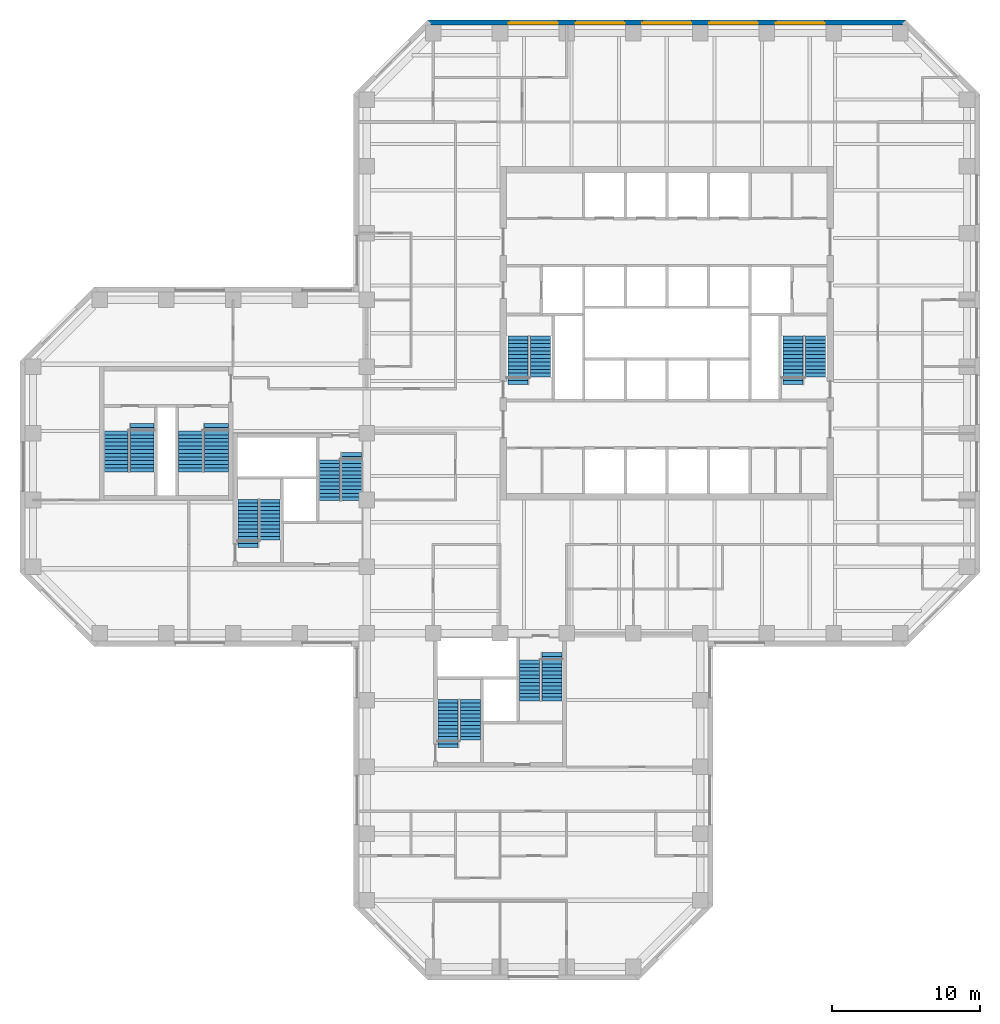
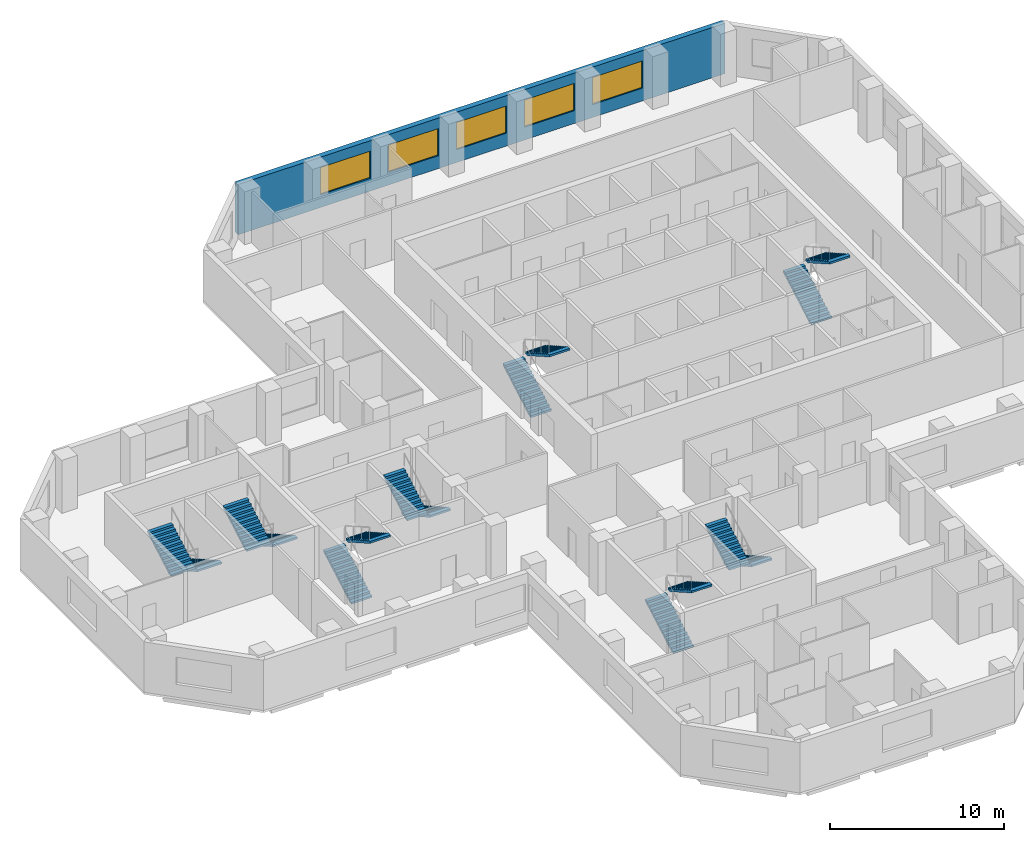
# One storey, part 9 of 10: 16 stair flights, 5 windows, 1 wall, 5 openings, 8 elements without a shape of their own.
"""IFC4 building model written with IfcOpenShell, lengths in metres."""

from ifc_helpers import new_model, si_unit, direction, frame, frame_2d, origin, place, context, subcontext, project, spatial, polyline, rectangle, outline, extrude, material, layer, layer_set, constituent, constituent_set, type_object, element, fill, aggregate, save


model = new_model("IFC4")

# Units and contexts
model_context = context("Model", 3, precision=1e-05, world=origin(), true_north=direction((0.0, 1.0)))
body_context = subcontext(model_context, "Body", "Model", "MODEL_VIEW")
ifc_project = project(units=[si_unit("LENGTHUNIT", "METRE"), si_unit("AREAUNIT", "SQUARE_METRE"), si_unit("VOLUMEUNIT", "CUBIC_METRE"), si_unit("PLANEANGLEUNIT", "RADIAN"), si_unit("MASSUNIT", "GRAM", prefix="KILO")], contexts=[model_context])

# Site, building, storey
site_placement = place(None, origin())
site = spatial("IfcSite", under=ifc_project, at=site_placement, CompositionType="ELEMENT")
building_placement = place(site_placement, origin())
building = spatial("IfcBuilding", under=site, at=building_placement, Name="Quoin Convention Tower", CompositionType="ELEMENT")
storey_placement = place(building_placement, frame((0.0, 0.0, 86.300048828125)))
storey = spatial("IfcBuildingStorey", under=building, at=storey_placement, Name="L22", CompositionType="ELEMENT", Elevation=86.300048828125)

# Wall, openings, windows
ifc_material_1 = material(Name="Brick masonry", Category="masonry")
ifc_layer = layer(ifc_material_1, 0.35009765625)
ifc_layer_set = layer_set([ifc_layer], Name="Brick masonry")
wall_type = type_object("IfcWallType", Name="Brick facade wall", PredefinedType="STANDARD", material=ifc_layer_set)
wall_placement = place(storey_placement, frame((72.3623046875, 81.699951171875, 0.0), z_axis=(0.0, 0.0, 1.0), x_axis=(-1.0, 0.0, 0.0)))
wall = element("IfcWall", 1, at=wall_placement, inside=storey, type_object=wall_type, Name="fw-L22-72000_81000", PredefinedType="STANDARD", context=body_context, shape_type="SweptSolid", body=[
    extrude(rectangle(XDim=32.224609375, YDim=0.35009765625, at=frame_2d((16.1123046875, 0.0))), origin(), (0.0, 0.0, 1.0), 3.52490234375),
])
opening_1_placement = place(wall_placement, frame((5.46240234375, 0.0, 0.89990234375)))
opening_1 = element("IfcOpeningElement", 2, at=opening_1_placement, cuts=wall, Name="Opening W-02", PredefinedType="OPENING", context=body_context, shape_type="SweptSolid", body=[
    extrude(rectangle(XDim=3.300048828125, YDim=1.89990234375, at=frame_2d((1.64990234375, 0.949951171875))), frame((0.0, 0.18505859375, 0.0), z_axis=(0.0, -1.0, 0.0), x_axis=(1.0, 0.0, 0.0)), (0.0, 0.0, 1.0), 0.3701171875),
])
opening_2_placement = place(wall_placement, frame((9.96240234375, 0.0, 0.89990234375)))
opening_2 = element("IfcOpeningElement", 3, at=opening_2_placement, cuts=wall, Name="Opening W-02", PredefinedType="OPENING", context=body_context, shape_type="SweptSolid", body=[
    extrude(rectangle(XDim=3.300048828125, YDim=1.89990234375, at=frame_2d((1.64990234375, 0.949951171875))), frame((0.0, 0.18505859375, 0.0), z_axis=(0.0, -1.0, 0.0), x_axis=(1.0, 0.0, 0.0)), (0.0, 0.0, 1.0), 0.3701171875),
])
opening_3_placement = place(wall_placement, frame((14.46240234375, 0.0, 0.89990234375)))
opening_3 = element("IfcOpeningElement", 4, at=opening_3_placement, cuts=wall, Name="Opening W-02", PredefinedType="OPENING", context=body_context, shape_type="SweptSolid", body=[
    extrude(rectangle(XDim=3.300048828125, YDim=1.89990234375, at=frame_2d((1.64990234375, 0.949951171875))), frame((0.0, 0.18505859375, 0.0), z_axis=(0.0, -1.0, 0.0), x_axis=(1.0, 0.0, 0.0)), (0.0, 0.0, 1.0), 0.3701171875),
])
opening_4_placement = place(wall_placement, frame((18.96240234375, 0.0, 0.89990234375)))
opening_4 = element("IfcOpeningElement", 5, at=opening_4_placement, cuts=wall, Name="Opening W-02", PredefinedType="OPENING", context=body_context, shape_type="SweptSolid", body=[
    extrude(rectangle(XDim=3.300048828125, YDim=1.89990234375, at=frame_2d((1.64990234375, 0.949951171875))), frame((0.0, 0.18505859375, 0.0), z_axis=(0.0, -1.0, 0.0), x_axis=(1.0, 0.0, 0.0)), (0.0, 0.0, 1.0), 0.3701171875),
])
opening_5_placement = place(wall_placement, frame((23.46240234375, 0.0, 0.89990234375)))
opening_5 = element("IfcOpeningElement", 6, at=opening_5_placement, cuts=wall, Name="Opening W-02", PredefinedType="OPENING", context=body_context, shape_type="SweptSolid", body=[
    extrude(rectangle(XDim=3.300048828125, YDim=1.89990234375, at=frame_2d((1.64990234375, 0.949951171875))), frame((0.0, 0.18505859375, 0.0), z_axis=(0.0, -1.0, 0.0), x_axis=(1.0, 0.0, 0.0)), (0.0, 0.0, 1.0), 0.3701171875),
])
ifc_material_2 = material(Name="Aluminium", Category="aluminium")
ifc_constituent_1 = constituent(ifc_material_2, Name="Frame")
ifc_material_3 = material(Name="Insulated glass", Category="glass")
ifc_constituent_2 = constituent(ifc_material_3, Name="Glazing")
ifc_constituent_set = constituent_set(constituents=[ifc_constituent_1, ifc_constituent_2], Name="Aluminium")
window_type = type_object("IfcWindowType", Name="Office window", PartitioningType="DOUBLE_PANEL_VERTICAL", PredefinedType="WINDOW", material=ifc_constituent_set)
window_1_placement = place(opening_1_placement, origin())
window_1 = element("IfcWindow", 7, at=window_1_placement, inside=storey, type_object=window_type, Name="win-L22-65250_81700", OverallHeight=1.89990234375, OverallWidth=3.300048828125, PartitioningType="SINGLE_PANEL", PredefinedType="WINDOW", context=body_context, shape_type="SweptSolid", body=[
    extrude(rectangle(XDim=3.300048828125, YDim=1.89990234375, at=frame_2d((1.64990234375, 0.949951171875))), frame((0.0, 0.0849609375, 0.0), z_axis=(0.0, -1.0, 0.0), x_axis=(1.0, 0.0, 0.0)), (0.0, 0.0, 1.0), 0.06005859375),
])
fill(opening_1, window_1)
window_2_placement = place(opening_2_placement, origin())
window_2 = element("IfcWindow", 8, at=window_2_placement, inside=storey, type_object=window_type, Name="win-L22-60750_81700", OverallHeight=1.89990234375, OverallWidth=3.300048828125, PartitioningType="SINGLE_PANEL", PredefinedType="WINDOW", context=body_context, shape_type="SweptSolid", body=[
    extrude(rectangle(XDim=3.300048828125, YDim=1.89990234375, at=frame_2d((1.64990234375, 0.949951171875))), frame((0.0, 0.0849609375, 0.0), z_axis=(0.0, -1.0, 0.0), x_axis=(1.0, 0.0, 0.0)), (0.0, 0.0, 1.0), 0.06005859375),
])
fill(opening_2, window_2)
window_3_placement = place(opening_3_placement, origin())
window_3 = element("IfcWindow", 9, at=window_3_placement, inside=storey, type_object=window_type, Name="win-L22-56250_81700", OverallHeight=1.89990234375, OverallWidth=3.300048828125, PartitioningType="SINGLE_PANEL", PredefinedType="WINDOW", context=body_context, shape_type="SweptSolid", body=[
    extrude(rectangle(XDim=3.300048828125, YDim=1.89990234375, at=frame_2d((1.64990234375, 0.949951171875))), frame((0.0, 0.0849609375, 0.0), z_axis=(0.0, -1.0, 0.0), x_axis=(1.0, 0.0, 0.0)), (0.0, 0.0, 1.0), 0.06005859375),
])
fill(opening_3, window_3)
window_4_placement = place(opening_4_placement, origin())
window_4 = element("IfcWindow", 10, at=window_4_placement, inside=storey, type_object=window_type, Name="win-L22-51750_81700", OverallHeight=1.89990234375, OverallWidth=3.300048828125, PartitioningType="SINGLE_PANEL", PredefinedType="WINDOW", context=body_context, shape_type="SweptSolid", body=[
    extrude(rectangle(XDim=3.300048828125, YDim=1.89990234375, at=frame_2d((1.64990234375, 0.949951171875))), frame((0.0, 0.0849609375, 0.0), z_axis=(0.0, -1.0, 0.0), x_axis=(1.0, 0.0, 0.0)), (0.0, 0.0, 1.0), 0.06005859375),
])
fill(opening_4, window_4)
window_5_placement = place(opening_5_placement, origin())
window_5 = element("IfcWindow", 11, at=window_5_placement, inside=storey, type_object=window_type, Name="win-L22-47250_81700", OverallHeight=1.89990234375, OverallWidth=3.300048828125, PartitioningType="SINGLE_PANEL", PredefinedType="WINDOW", context=body_context, shape_type="SweptSolid", body=[
    extrude(rectangle(XDim=3.300048828125, YDim=1.89990234375, at=frame_2d((1.64990234375, 0.949951171875))), frame((0.0, 0.0849609375, 0.0), z_axis=(0.0, -1.0, 0.0), x_axis=(1.0, 0.0, 0.0)), (0.0, 0.0, 1.0), 0.06005859375),
])
fill(opening_5, window_5)

# Stair, stair flights
ifc_material_4 = material(Name="Concrete C40", Category="concrete")
stair_type_1 = type_object("IfcStairType", Name="Exit stair two-flight 1350", PredefinedType="HALF_TURN_STAIR", material=ifc_material_4)
stair_1_placement = place(storey_placement, origin())
stair_1 = element("IfcStair", 12, at=stair_1_placement, inside=storey, type_object=stair_type_1, Name="SD1 L22", PredefinedType="HALF_TURN_STAIR")
stair_flight_type_1 = type_object("IfcStairFlightType", Name="Stair flight 1350", PredefinedType="STRAIGHT", material=ifc_material_4)
stair_flight_1_placement = place(storey_placement, frame((46.22509765625, 57.300048828125, 0.0), z_axis=(0.0, 0.0, 1.0), x_axis=(0.0, 1.0, 0.0)))
stair_flight_1 = element("IfcStairFlight", 13, at=stair_flight_1_placement, type_object=stair_flight_type_1, Name="ST1 flight 1", NumberOfRisers=14, NumberOfTreads=13, PredefinedType="STRAIGHT", RiserHeight=0.142307692, TreadLength=0.25, context=body_context, shape_type="SweptSolid", body=[
    extrude(outline(polyline([(0.0, 0.0), (0.0, 0.142333984375), (0.25, 0.142333984375), (0.25, 0.28466796875), (0.5, 0.28466796875), (0.5, 0.427001953125), (0.75, 0.427001953125), (0.75, 0.5693359375), (1.0, 0.5693359375), (1.0, 0.71142578125), (1.25, 0.71142578125), (1.25, 0.853759765625), (1.5, 0.853759765625), (1.5, 0.99609375), (1.75, 0.99609375), (1.75, 1.138427734375), (2.0, 1.138427734375), (2.0, 1.28076171875), (2.25, 1.28076171875), (2.25, 1.423095703125), (2.5, 1.423095703125), (2.5, 1.5654296875), (2.75, 1.5654296875), (2.75, 1.707763671875), (3.0, 1.707763671875), (3.0, 1.85009765625), (3.25, 1.85009765625), (3.25, 1.9921875), (3.25, 1.711669921875), (0.242919921875, 0.0), (0.0, 0.0)])), frame((0.0, 0.675048828125, 0.0), z_axis=(0.0, -1.0, 0.0), x_axis=(1.0, 0.0, 0.0)), (0.0, 0.0, 1.0), 1.35009765625),
])
stair_flight_2_placement = place(storey_placement, frame((47.72509765625, 60.550048828125, 1.9921875), z_axis=(0.0, 0.0, 1.0), x_axis=(0.0, -1.0, 0.0)))
stair_flight_2 = element("IfcStairFlight", 14, at=stair_flight_2_placement, type_object=stair_flight_type_1, Name="ST1 flight 2", NumberOfRisers=12, NumberOfTreads=11, PredefinedType="STRAIGHT", RiserHeight=0.142307692, TreadLength=0.25, context=body_context, shape_type="SweptSolid", body=[
    extrude(outline(polyline([(0.0, 0.0), (0.0, 0.142333984375), (0.25, 0.142333984375), (0.25, 0.28466796875), (0.5, 0.28466796875), (0.5, 0.427001953125), (0.75, 0.427001953125), (0.75, 0.5693359375), (1.0, 0.5693359375), (1.0, 0.71142578125), (1.25, 0.71142578125), (1.25, 0.853759765625), (1.5, 0.853759765625), (1.5, 0.99609375), (1.75, 0.99609375), (1.75, 1.138427734375), (2.0, 1.138427734375), (2.0, 1.28076171875), (2.25, 1.28076171875), (2.25, 1.423095703125), (2.5, 1.423095703125), (2.5, 1.5654296875), (2.75, 1.5654296875), (2.75, 1.707763671875), (2.75, 1.42724609375), (0.242919921875, 0.0), (0.0, 0.0)])), frame((0.0, 0.675048828125, 0.0), z_axis=(0.0, -1.0, 0.0), x_axis=(1.0, 0.0, 0.0)), (0.0, 0.0, 1.0), 1.35009765625),
])
aggregate(stair_1, [stair_flight_1, stair_flight_2])

stair_2_placement = place(storey_placement, origin())
stair_2 = element("IfcStair", 15, at=stair_2_placement, inside=storey, type_object=stair_type_1, Name="SD2 L22", PredefinedType="HALF_TURN_STAIR")
stair_flight_3_placement = place(storey_placement, frame((64.77490234375, 57.300048828125, 0.0), z_axis=(0.0, 0.0, 1.0), x_axis=(0.0, 1.0, 0.0)))
stair_flight_3 = element("IfcStairFlight", 16, at=stair_flight_3_placement, type_object=stair_flight_type_1, Name="ST2 flight 1", NumberOfRisers=14, NumberOfTreads=13, PredefinedType="STRAIGHT", RiserHeight=0.142307692, TreadLength=0.25, context=body_context, shape_type="SweptSolid", body=[
    extrude(outline(polyline([(0.0, 0.0), (0.0, 0.142333984375), (0.25, 0.142333984375), (0.25, 0.28466796875), (0.5, 0.28466796875), (0.5, 0.427001953125), (0.75, 0.427001953125), (0.75, 0.5693359375), (1.0, 0.5693359375), (1.0, 0.71142578125), (1.25, 0.71142578125), (1.25, 0.853759765625), (1.5, 0.853759765625), (1.5, 0.99609375), (1.75, 0.99609375), (1.75, 1.138427734375), (2.0, 1.138427734375), (2.0, 1.28076171875), (2.25, 1.28076171875), (2.25, 1.423095703125), (2.5, 1.423095703125), (2.5, 1.5654296875), (2.75, 1.5654296875), (2.75, 1.707763671875), (3.0, 1.707763671875), (3.0, 1.85009765625), (3.25, 1.85009765625), (3.25, 1.9921875), (3.25, 1.711669921875), (0.242919921875, 0.0), (0.0, 0.0)])), frame((0.0, 0.675048828125, 0.0), z_axis=(0.0, -1.0, 0.0), x_axis=(1.0, 0.0, 0.0)), (0.0, 0.0, 1.0), 1.35009765625),
])
stair_flight_4_placement = place(storey_placement, frame((66.27490234375, 60.550048828125, 1.9921875), z_axis=(0.0, 0.0, 1.0), x_axis=(0.0, -1.0, 0.0)))
stair_flight_4 = element("IfcStairFlight", 17, at=stair_flight_4_placement, type_object=stair_flight_type_1, Name="ST2 flight 2", NumberOfRisers=12, NumberOfTreads=11, PredefinedType="STRAIGHT", RiserHeight=0.142307692, TreadLength=0.25, context=body_context, shape_type="SweptSolid", body=[
    extrude(outline(polyline([(0.0, 0.0), (0.0, 0.142333984375), (0.25, 0.142333984375), (0.25, 0.28466796875), (0.5, 0.28466796875), (0.5, 0.427001953125), (0.75, 0.427001953125), (0.75, 0.5693359375), (1.0, 0.5693359375), (1.0, 0.71142578125), (1.25, 0.71142578125), (1.25, 0.853759765625), (1.5, 0.853759765625), (1.5, 0.99609375), (1.75, 0.99609375), (1.75, 1.138427734375), (2.0, 1.138427734375), (2.0, 1.28076171875), (2.25, 1.28076171875), (2.25, 1.423095703125), (2.5, 1.423095703125), (2.5, 1.5654296875), (2.75, 1.5654296875), (2.75, 1.707763671875), (2.75, 1.42724609375), (0.242919921875, 0.0), (0.0, 0.0)])), frame((0.0, 0.675048828125, 0.0), z_axis=(0.0, -1.0, 0.0), x_axis=(1.0, 0.0, 0.0)), (0.0, 0.0, 1.0), 1.35009765625),
])
aggregate(stair_2, [stair_flight_3, stair_flight_4])

stair_3_placement = place(storey_placement, origin())
stair_3 = element("IfcStair", 18, at=stair_3_placement, inside=storey, type_object=stair_type_1, Name="SD3 L22", PredefinedType="HALF_TURN_STAIR")
stair_flight_5_placement = place(storey_placement, frame((28.0, 46.300048828125, 0.0), z_axis=(0.0, 0.0, 1.0), x_axis=(0.0, 1.0, 0.0)))
stair_flight_5 = element("IfcStairFlight", 19, at=stair_flight_5_placement, type_object=stair_flight_type_1, Name="ST3 flight 1", NumberOfRisers=14, NumberOfTreads=13, PredefinedType="STRAIGHT", RiserHeight=0.142307692, TreadLength=0.25, context=body_context, shape_type="SweptSolid", body=[
    extrude(outline(polyline([(0.0, 0.0), (0.0, 0.142333984375), (0.25, 0.142333984375), (0.25, 0.28466796875), (0.5, 0.28466796875), (0.5, 0.427001953125), (0.75, 0.427001953125), (0.75, 0.5693359375), (1.0, 0.5693359375), (1.0, 0.71142578125), (1.25, 0.71142578125), (1.25, 0.853759765625), (1.5, 0.853759765625), (1.5, 0.99609375), (1.75, 0.99609375), (1.75, 1.138427734375), (2.0, 1.138427734375), (2.0, 1.28076171875), (2.25, 1.28076171875), (2.25, 1.423095703125), (2.5, 1.423095703125), (2.5, 1.5654296875), (2.75, 1.5654296875), (2.75, 1.707763671875), (3.0, 1.707763671875), (3.0, 1.85009765625), (3.25, 1.85009765625), (3.25, 1.9921875), (3.25, 1.711669921875), (0.242919921875, 0.0), (0.0, 0.0)])), frame((0.0, 0.675048828125, 0.0), z_axis=(0.0, -1.0, 0.0), x_axis=(1.0, 0.0, 0.0)), (0.0, 0.0, 1.0), 1.35009765625),
])
stair_flight_6_placement = place(storey_placement, frame((29.5, 49.550048828125, 1.9921875), z_axis=(0.0, 0.0, 1.0), x_axis=(0.0, -1.0, 0.0)))
stair_flight_6 = element("IfcStairFlight", 20, at=stair_flight_6_placement, type_object=stair_flight_type_1, Name="ST3 flight 2", NumberOfRisers=12, NumberOfTreads=11, PredefinedType="STRAIGHT", RiserHeight=0.142307692, TreadLength=0.25, context=body_context, shape_type="SweptSolid", body=[
    extrude(outline(polyline([(0.0, 0.0), (0.0, 0.142333984375), (0.25, 0.142333984375), (0.25, 0.28466796875), (0.5, 0.28466796875), (0.5, 0.427001953125), (0.75, 0.427001953125), (0.75, 0.5693359375), (1.0, 0.5693359375), (1.0, 0.71142578125), (1.25, 0.71142578125), (1.25, 0.853759765625), (1.5, 0.853759765625), (1.5, 0.99609375), (1.75, 0.99609375), (1.75, 1.138427734375), (2.0, 1.138427734375), (2.0, 1.28076171875), (2.25, 1.28076171875), (2.25, 1.423095703125), (2.5, 1.423095703125), (2.5, 1.5654296875), (2.75, 1.5654296875), (2.75, 1.707763671875), (2.75, 1.42724609375), (0.242919921875, 0.0), (0.0, 0.0)])), frame((0.0, 0.675048828125, 0.0), z_axis=(0.0, -1.0, 0.0), x_axis=(1.0, 0.0, 0.0)), (0.0, 0.0, 1.0), 1.35009765625),
])
aggregate(stair_3, [stair_flight_5, stair_flight_6])

stair_4_placement = place(storey_placement, origin())
stair_4 = element("IfcStair", 21, at=stair_4_placement, inside=storey, type_object=stair_type_1, Name="SD4 L22", PredefinedType="HALF_TURN_STAIR")
stair_flight_7_placement = place(storey_placement, frame((35.0, 52.699951171875, 0.0), z_axis=(0.0, 0.0, 1.0), x_axis=(0.0, -1.0, 0.0)))
stair_flight_7 = element("IfcStairFlight", 22, at=stair_flight_7_placement, type_object=stair_flight_type_1, Name="ST4 flight 1", NumberOfRisers=14, NumberOfTreads=13, PredefinedType="STRAIGHT", RiserHeight=0.142307692, TreadLength=0.25, context=body_context, shape_type="SweptSolid", body=[
    extrude(outline(polyline([(0.0, 0.0), (0.0, 0.142333984375), (0.25, 0.142333984375), (0.25, 0.28466796875), (0.5, 0.28466796875), (0.5, 0.427001953125), (0.75, 0.427001953125), (0.75, 0.5693359375), (1.0, 0.5693359375), (1.0, 0.71142578125), (1.25, 0.71142578125), (1.25, 0.853759765625), (1.5, 0.853759765625), (1.5, 0.99609375), (1.75, 0.99609375), (1.75, 1.138427734375), (2.0, 1.138427734375), (2.0, 1.28076171875), (2.25, 1.28076171875), (2.25, 1.423095703125), (2.5, 1.423095703125), (2.5, 1.5654296875), (2.75, 1.5654296875), (2.75, 1.707763671875), (3.0, 1.707763671875), (3.0, 1.85009765625), (3.25, 1.85009765625), (3.25, 1.9921875), (3.25, 1.711669921875), (0.242919921875, 0.0), (0.0, 0.0)])), frame((0.0, 0.675048828125, 0.0), z_axis=(0.0, -1.0, 0.0), x_axis=(1.0, 0.0, 0.0)), (0.0, 0.0, 1.0), 1.35009765625),
])
stair_flight_8_placement = place(storey_placement, frame((33.5, 49.449951171875, 1.9921875), z_axis=(0.0, 0.0, 1.0), x_axis=(0.0, 1.0, 0.0)))
stair_flight_8 = element("IfcStairFlight", 23, at=stair_flight_8_placement, type_object=stair_flight_type_1, Name="ST4 flight 2", NumberOfRisers=12, NumberOfTreads=11, PredefinedType="STRAIGHT", RiserHeight=0.142307692, TreadLength=0.25, context=body_context, shape_type="SweptSolid", body=[
    extrude(outline(polyline([(0.0, 0.0), (0.0, 0.142333984375), (0.25, 0.142333984375), (0.25, 0.28466796875), (0.5, 0.28466796875), (0.5, 0.427001953125), (0.75, 0.427001953125), (0.75, 0.5693359375), (1.0, 0.5693359375), (1.0, 0.71142578125), (1.25, 0.71142578125), (1.25, 0.853759765625), (1.5, 0.853759765625), (1.5, 0.99609375), (1.75, 0.99609375), (1.75, 1.138427734375), (2.0, 1.138427734375), (2.0, 1.28076171875), (2.25, 1.28076171875), (2.25, 1.423095703125), (2.5, 1.423095703125), (2.5, 1.5654296875), (2.75, 1.5654296875), (2.75, 1.707763671875), (2.75, 1.42724609375), (0.242919921875, 0.0), (0.0, 0.0)])), frame((0.0, 0.675048828125, 0.0), z_axis=(0.0, -1.0, 0.0), x_axis=(1.0, 0.0, 0.0)), (0.0, 0.0, 1.0), 1.35009765625),
])
aggregate(stair_4, [stair_flight_7, stair_flight_8])

stair_5_placement = place(storey_placement, origin())
stair_5 = element("IfcStair", 24, at=stair_5_placement, inside=storey, type_object=stair_type_1, Name="SD5 L22", PredefinedType="HALF_TURN_STAIR")
stair_flight_9_placement = place(storey_placement, frame((41.5, 32.800048828125, 0.0), z_axis=(0.0, 0.0, 1.0), x_axis=(0.0, 1.0, 0.0)))
stair_flight_9 = element("IfcStairFlight", 25, at=stair_flight_9_placement, type_object=stair_flight_type_1, Name="ST5 flight 1", NumberOfRisers=14, NumberOfTreads=13, PredefinedType="STRAIGHT", RiserHeight=0.142307692, TreadLength=0.25, context=body_context, shape_type="SweptSolid", body=[
    extrude(outline(polyline([(0.0, 0.0), (0.0, 0.142333984375), (0.25, 0.142333984375), (0.25, 0.28466796875), (0.5, 0.28466796875), (0.5, 0.427001953125), (0.75, 0.427001953125), (0.75, 0.5693359375), (1.0, 0.5693359375), (1.0, 0.71142578125), (1.25, 0.71142578125), (1.25, 0.853759765625), (1.5, 0.853759765625), (1.5, 0.99609375), (1.75, 0.99609375), (1.75, 1.138427734375), (2.0, 1.138427734375), (2.0, 1.28076171875), (2.25, 1.28076171875), (2.25, 1.423095703125), (2.5, 1.423095703125), (2.5, 1.5654296875), (2.75, 1.5654296875), (2.75, 1.707763671875), (3.0, 1.707763671875), (3.0, 1.85009765625), (3.25, 1.85009765625), (3.25, 1.9921875), (3.25, 1.711669921875), (0.242919921875, 0.0), (0.0, 0.0)])), frame((0.0, 0.675048828125, 0.0), z_axis=(0.0, -1.0, 0.0), x_axis=(1.0, 0.0, 0.0)), (0.0, 0.0, 1.0), 1.35009765625),
])
stair_flight_10_placement = place(storey_placement, frame((43.0, 36.050048828125, 1.9921875), z_axis=(0.0, 0.0, 1.0), x_axis=(0.0, -1.0, 0.0)))
stair_flight_10 = element("IfcStairFlight", 26, at=stair_flight_10_placement, type_object=stair_flight_type_1, Name="ST5 flight 2", NumberOfRisers=12, NumberOfTreads=11, PredefinedType="STRAIGHT", RiserHeight=0.142307692, TreadLength=0.25, context=body_context, shape_type="SweptSolid", body=[
    extrude(outline(polyline([(0.0, 0.0), (0.0, 0.142333984375), (0.25, 0.142333984375), (0.25, 0.28466796875), (0.5, 0.28466796875), (0.5, 0.427001953125), (0.75, 0.427001953125), (0.75, 0.5693359375), (1.0, 0.5693359375), (1.0, 0.71142578125), (1.25, 0.71142578125), (1.25, 0.853759765625), (1.5, 0.853759765625), (1.5, 0.99609375), (1.75, 0.99609375), (1.75, 1.138427734375), (2.0, 1.138427734375), (2.0, 1.28076171875), (2.25, 1.28076171875), (2.25, 1.423095703125), (2.5, 1.423095703125), (2.5, 1.5654296875), (2.75, 1.5654296875), (2.75, 1.707763671875), (2.75, 1.42724609375), (0.242919921875, 0.0), (0.0, 0.0)])), frame((0.0, 0.675048828125, 0.0), z_axis=(0.0, -1.0, 0.0), x_axis=(1.0, 0.0, 0.0)), (0.0, 0.0, 1.0), 1.35009765625),
])
aggregate(stair_5, [stair_flight_9, stair_flight_10])

stair_6_placement = place(storey_placement, origin())
stair_6 = element("IfcStair", 27, at=stair_6_placement, inside=storey, type_object=stair_type_1, Name="SD6 L22", PredefinedType="HALF_TURN_STAIR")
stair_flight_11_placement = place(storey_placement, frame((48.5, 39.199951171875, 0.0), z_axis=(0.0, 0.0, 1.0), x_axis=(0.0, -1.0, 0.0)))
stair_flight_11 = element("IfcStairFlight", 28, at=stair_flight_11_placement, type_object=stair_flight_type_1, Name="ST6 flight 1", NumberOfRisers=14, NumberOfTreads=13, PredefinedType="STRAIGHT", RiserHeight=0.142307692, TreadLength=0.25, context=body_context, shape_type="SweptSolid", body=[
    extrude(outline(polyline([(0.0, 0.0), (0.0, 0.142333984375), (0.25, 0.142333984375), (0.25, 0.28466796875), (0.5, 0.28466796875), (0.5, 0.427001953125), (0.75, 0.427001953125), (0.75, 0.5693359375), (1.0, 0.5693359375), (1.0, 0.71142578125), (1.25, 0.71142578125), (1.25, 0.853759765625), (1.5, 0.853759765625), (1.5, 0.99609375), (1.75, 0.99609375), (1.75, 1.138427734375), (2.0, 1.138427734375), (2.0, 1.28076171875), (2.25, 1.28076171875), (2.25, 1.423095703125), (2.5, 1.423095703125), (2.5, 1.5654296875), (2.75, 1.5654296875), (2.75, 1.707763671875), (3.0, 1.707763671875), (3.0, 1.85009765625), (3.25, 1.85009765625), (3.25, 1.9921875), (3.25, 1.711669921875), (0.242919921875, 0.0), (0.0, 0.0)])), frame((0.0, 0.675048828125, 0.0), z_axis=(0.0, -1.0, 0.0), x_axis=(1.0, 0.0, 0.0)), (0.0, 0.0, 1.0), 1.35009765625),
])
stair_flight_12_placement = place(storey_placement, frame((47.0, 35.949951171875, 1.9921875), z_axis=(0.0, 0.0, 1.0), x_axis=(0.0, 1.0, 0.0)))
stair_flight_12 = element("IfcStairFlight", 29, at=stair_flight_12_placement, type_object=stair_flight_type_1, Name="ST6 flight 2", NumberOfRisers=12, NumberOfTreads=11, PredefinedType="STRAIGHT", RiserHeight=0.142307692, TreadLength=0.25, context=body_context, shape_type="SweptSolid", body=[
    extrude(outline(polyline([(0.0, 0.0), (0.0, 0.142333984375), (0.25, 0.142333984375), (0.25, 0.28466796875), (0.5, 0.28466796875), (0.5, 0.427001953125), (0.75, 0.427001953125), (0.75, 0.5693359375), (1.0, 0.5693359375), (1.0, 0.71142578125), (1.25, 0.71142578125), (1.25, 0.853759765625), (1.5, 0.853759765625), (1.5, 0.99609375), (1.75, 0.99609375), (1.75, 1.138427734375), (2.0, 1.138427734375), (2.0, 1.28076171875), (2.25, 1.28076171875), (2.25, 1.423095703125), (2.5, 1.423095703125), (2.5, 1.5654296875), (2.75, 1.5654296875), (2.75, 1.707763671875), (2.75, 1.42724609375), (0.242919921875, 0.0), (0.0, 0.0)])), frame((0.0, 0.675048828125, 0.0), z_axis=(0.0, -1.0, 0.0), x_axis=(1.0, 0.0, 0.0)), (0.0, 0.0, 1.0), 1.35009765625),
])
aggregate(stair_6, [stair_flight_11, stair_flight_12])

stair_type_2 = type_object("IfcStairType", Name="Exit stair two-flight 1600", PredefinedType="HALF_TURN_STAIR", material=ifc_material_4)
stair_7_placement = place(storey_placement, origin())
stair_7 = element("IfcStair", 30, at=stair_7_placement, inside=storey, type_object=stair_type_2, Name="SD11 L22", PredefinedType="HALF_TURN_STAIR")
stair_flight_type_2 = type_object("IfcStairFlightType", Name="Stair flight 1600", PredefinedType="STRAIGHT", material=ifc_material_4)
stair_flight_13_placement = place(storey_placement, frame((20.875, 54.64990234375, 0.0), z_axis=(0.0, 0.0, 1.0), x_axis=(0.0, -1.0, 0.0)))
stair_flight_13 = element("IfcStairFlight", 31, at=stair_flight_13_placement, type_object=stair_flight_type_2, Name="ST11 flight 1", NumberOfRisers=14, NumberOfTreads=13, PredefinedType="STRAIGHT", RiserHeight=0.142307692, TreadLength=0.25, context=body_context, shape_type="SweptSolid", body=[
    extrude(outline(polyline([(0.0, 0.0), (0.0, 0.142333984375), (0.25, 0.142333984375), (0.25, 0.28466796875), (0.5, 0.28466796875), (0.5, 0.427001953125), (0.75, 0.427001953125), (0.75, 0.5693359375), (1.0, 0.5693359375), (1.0, 0.71142578125), (1.25, 0.71142578125), (1.25, 0.853759765625), (1.5, 0.853759765625), (1.5, 0.99609375), (1.75, 0.99609375), (1.75, 1.138427734375), (2.0, 1.138427734375), (2.0, 1.28076171875), (2.25, 1.28076171875), (2.25, 1.423095703125), (2.5, 1.423095703125), (2.5, 1.5654296875), (2.75, 1.5654296875), (2.75, 1.707763671875), (3.0, 1.707763671875), (3.0, 1.85009765625), (3.25, 1.85009765625), (3.25, 1.9921875), (3.25, 1.711669921875), (0.242919921875, 0.0), (0.0, 0.0)])), frame((0.0, 0.800048828125, 0.0), z_axis=(0.0, -1.0, 0.0), x_axis=(1.0, 0.0, 0.0)), (0.0, 0.0, 1.0), 1.60009765625),
])
stair_flight_14_placement = place(storey_placement, frame((19.125, 51.39990234375, 1.9921875), z_axis=(0.0, 0.0, 1.0), x_axis=(0.0, 1.0, 0.0)))
stair_flight_14 = element("IfcStairFlight", 32, at=stair_flight_14_placement, type_object=stair_flight_type_2, Name="ST11 flight 2", NumberOfRisers=12, NumberOfTreads=11, PredefinedType="STRAIGHT", RiserHeight=0.142307692, TreadLength=0.25, context=body_context, shape_type="SweptSolid", body=[
    extrude(outline(polyline([(0.0, 0.0), (0.0, 0.142333984375), (0.25, 0.142333984375), (0.25, 0.28466796875), (0.5, 0.28466796875), (0.5, 0.427001953125), (0.75, 0.427001953125), (0.75, 0.5693359375), (1.0, 0.5693359375), (1.0, 0.71142578125), (1.25, 0.71142578125), (1.25, 0.853759765625), (1.5, 0.853759765625), (1.5, 0.99609375), (1.75, 0.99609375), (1.75, 1.138427734375), (2.0, 1.138427734375), (2.0, 1.28076171875), (2.25, 1.28076171875), (2.25, 1.423095703125), (2.5, 1.423095703125), (2.5, 1.5654296875), (2.75, 1.5654296875), (2.75, 1.707763671875), (2.75, 1.42724609375), (0.242919921875, 0.0), (0.0, 0.0)])), frame((0.0, 0.800048828125, 0.0), z_axis=(0.0, -1.0, 0.0), x_axis=(1.0, 0.0, 0.0)), (0.0, 0.0, 1.0), 1.60009765625),
])
aggregate(stair_7, [stair_flight_13, stair_flight_14])

stair_8_placement = place(storey_placement, origin())
stair_8 = element("IfcStair", 33, at=stair_8_placement, inside=storey, type_object=stair_type_2, Name="SD12 L22", PredefinedType="HALF_TURN_STAIR")
stair_flight_15_placement = place(storey_placement, frame((25.875, 54.64990234375, 0.0), z_axis=(0.0, 0.0, 1.0), x_axis=(0.0, -1.0, 0.0)))
stair_flight_15 = element("IfcStairFlight", 34, at=stair_flight_15_placement, type_object=stair_flight_type_2, Name="ST12 flight 1", NumberOfRisers=14, NumberOfTreads=13, PredefinedType="STRAIGHT", RiserHeight=0.142307692, TreadLength=0.25, context=body_context, shape_type="SweptSolid", body=[
    extrude(outline(polyline([(0.0, 0.0), (0.0, 0.142333984375), (0.25, 0.142333984375), (0.25, 0.28466796875), (0.5, 0.28466796875), (0.5, 0.427001953125), (0.75, 0.427001953125), (0.75, 0.5693359375), (1.0, 0.5693359375), (1.0, 0.71142578125), (1.25, 0.71142578125), (1.25, 0.853759765625), (1.5, 0.853759765625), (1.5, 0.99609375), (1.75, 0.99609375), (1.75, 1.138427734375), (2.0, 1.138427734375), (2.0, 1.28076171875), (2.25, 1.28076171875), (2.25, 1.423095703125), (2.5, 1.423095703125), (2.5, 1.5654296875), (2.75, 1.5654296875), (2.75, 1.707763671875), (3.0, 1.707763671875), (3.0, 1.85009765625), (3.25, 1.85009765625), (3.25, 1.9921875), (3.25, 1.711669921875), (0.242919921875, 0.0), (0.0, 0.0)])), frame((0.0, 0.800048828125, 0.0), z_axis=(0.0, -1.0, 0.0), x_axis=(1.0, 0.0, 0.0)), (0.0, 0.0, 1.0), 1.60009765625),
])
stair_flight_16_placement = place(storey_placement, frame((24.125, 51.39990234375, 1.9921875), z_axis=(0.0, 0.0, 1.0), x_axis=(0.0, 1.0, 0.0)))
stair_flight_16 = element("IfcStairFlight", 35, at=stair_flight_16_placement, type_object=stair_flight_type_2, Name="ST12 flight 2", NumberOfRisers=12, NumberOfTreads=11, PredefinedType="STRAIGHT", RiserHeight=0.142307692, TreadLength=0.25, context=body_context, shape_type="SweptSolid", body=[
    extrude(outline(polyline([(0.0, 0.0), (0.0, 0.142333984375), (0.25, 0.142333984375), (0.25, 0.28466796875), (0.5, 0.28466796875), (0.5, 0.427001953125), (0.75, 0.427001953125), (0.75, 0.5693359375), (1.0, 0.5693359375), (1.0, 0.71142578125), (1.25, 0.71142578125), (1.25, 0.853759765625), (1.5, 0.853759765625), (1.5, 0.99609375), (1.75, 0.99609375), (1.75, 1.138427734375), (2.0, 1.138427734375), (2.0, 1.28076171875), (2.25, 1.28076171875), (2.25, 1.423095703125), (2.5, 1.423095703125), (2.5, 1.5654296875), (2.75, 1.5654296875), (2.75, 1.707763671875), (2.75, 1.42724609375), (0.242919921875, 0.0), (0.0, 0.0)])), frame((0.0, 0.800048828125, 0.0), z_axis=(0.0, -1.0, 0.0), x_axis=(1.0, 0.0, 0.0)), (0.0, 0.0, 1.0), 1.60009765625),
])
aggregate(stair_8, [stair_flight_15, stair_flight_16])

save(model, "model.ifc")
